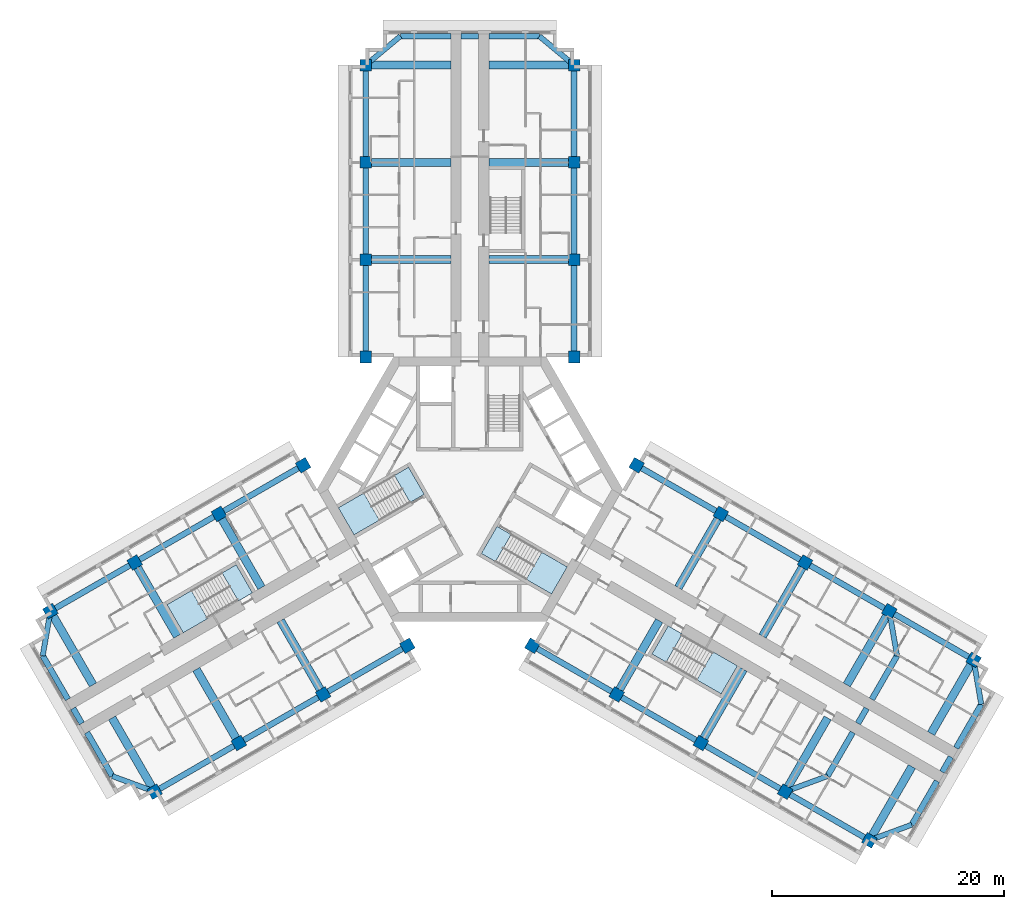
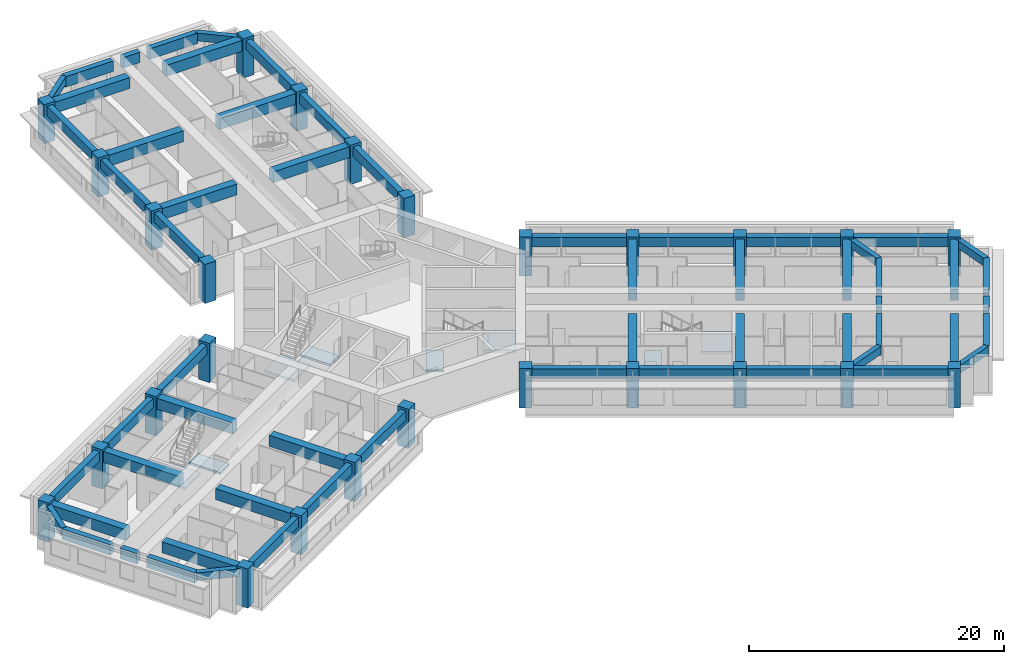
# One storey, part 1 of 14: 60 beams, 26 columns, 8 slabs, 4 elements without a shape of their own.
"""IFC4 building model written with IfcOpenShell, lengths in metres."""

from ifc_helpers import new_model, si_unit, direction, frame, origin, origin_2d, place, context, subcontext, project, spatial, polyline, rectangle, outline, extrude, material, layer, layer_set, material_profile, profile_set, type_object, element, aggregate, save


model = new_model("IFC4")

# Units and contexts
model_context = context("Model", 3, precision=1e-05, world=origin(), true_north=direction((0.0, 1.0)))
body_context = subcontext(model_context, "Body", "Model", "MODEL_VIEW")
ifc_project = project(units=[si_unit("LENGTHUNIT", "METRE"), si_unit("AREAUNIT", "SQUARE_METRE"), si_unit("VOLUMEUNIT", "CUBIC_METRE"), si_unit("PLANEANGLEUNIT", "RADIAN"), si_unit("MASSUNIT", "GRAM", prefix="KILO")], contexts=[model_context])

# Site, building, storey
site_placement = place(None, origin())
site = spatial("IfcSite", under=ifc_project, at=site_placement, CompositionType="ELEMENT")
building_placement = place(site_placement, origin())
building = spatial("IfcBuilding", under=site, at=building_placement, Name="Impinga Residences", CompositionType="ELEMENT")
storey_placement = place(building_placement, frame((0.0, 0.0, 154.75)))
storey = spatial("IfcBuildingStorey", under=building, at=storey_placement, Name="L38", CompositionType="ELEMENT", Elevation=154.75)

# Columns
ifc_material_1 = material(Name="Concrete C60/75", Category="concrete")
ifc_material_profile_1 = material_profile(ifc_material_1, rectangle(XDim=1.0, YDim=1.0, at=origin_2d()), Name="RC 1000x1000")
ifc_profile_set_1 = profile_set([ifc_material_profile_1], Name="Concrete C60/75")
column_type = type_object("IfcColumnType", Name="C3 1000x1000 column", PredefinedType="COLUMN", material=ifc_profile_set_1)
for number, where, z_axis, x_axis, name in (
    (1, (-9.0, 11.431640625, 0.0), (0.0, 0.0, 1.0), (1.0, 0.0, 0.0), "Column C3 N1/NA L38"),
    (2, (9.0, 11.431640625, 0.0), (0.0, 0.0, 1.0), (1.0, 0.0, 0.0), "Column C3 N1/NF L38"),
    (3, (-9.0, 19.83154296875, 0.0), (0.0, 0.0, 1.0), (1.0, 0.0, 0.0), "Column C3 N2/NA L38"),
    (4, (9.0, 19.83154296875, 0.0), (0.0, 0.0, 1.0), (1.0, 0.0, 0.0), "Column C3 N2/NF L38"),
    (5, (-9.0, 28.2314453125, 0.0), (0.0, 0.0, 1.0), (1.0, 0.0, 0.0), "Column C3 N3/NA L38"),
    (6, (9.0, 28.2314453125, 0.0), (0.0, 0.0, 1.0), (1.0, 0.0, 0.0), "Column C3 N3/NF L38"),
    (7, (-9.0, 36.631591796875, 0.0), (0.0, 0.0, 1.0), (1.0, 0.0, 0.0), "Column C3 N4/NA L38"),
    (8, (9.0, 36.631591796875, 0.0), (0.0, 0.0, 1.0), (1.0, 0.0, 0.0), "Column C3 N4/NF L38"),
    (9, (-5.39990234375, -13.510009765625, 0.0), (0.0, 0.0, 1.0), (-0.5, 0.866025403784, 0.0), "Column C3 W1/WA L38"),
    (10, (-14.39990234375, 2.078369140625, 0.0), (0.0, 0.0, 1.0), (-0.5, 0.866025403784, 0.0), "Column C3 W1/WF L38"),
    (11, (-12.674560546875, -17.7099609375, 0.0), (0.0, 0.0, 1.0), (-0.5, 0.866025403784, 0.0), "Column C3 W2/WA L38"),
    (12, (-21.674560546875, -2.12158203125, 0.0), (0.0, 0.0, 1.0), (-0.5, 0.866025403784, 0.0), "Column C3 W2/WF L38"),
    (13, (-19.94921875, -21.909912109375, 0.0), (0.0, 0.0, 1.0), (-0.5, 0.866025403784, 0.0), "Column C3 W3/WA L38"),
    (14, (-28.94921875, -6.321533203125, 0.0), (0.0, 0.0, 1.0), (-0.5, 0.866025403784, 0.0), "Column C3 W3/WF L38"),
    (15, (-27.223876953125, -26.110107421875, 0.0), (0.0, 0.0, 1.0), (-0.5, 0.866025403784, 0.0), "Column C3 W4/WA L38"),
    (16, (-36.223876953125, -10.521484375, 0.0), (0.0, 0.0, 1.0), (-0.5, 0.866025403784, 0.0), "Column C3 W4/WF L38"),
    (17, (14.39990234375, 2.078369140625, 0.0), (0.0, 0.0, 1.0), (-0.5, -0.866025403784, 0.0), "Column C3 E1/EA L38"),
    (18, (5.39990234375, -13.510009765625, 0.0), (0.0, 0.0, 1.0), (-0.5, -0.866025403784, 0.0), "Column C3 E1/EF L38"),
    (19, (21.674560546875, -2.12158203125, 0.0), (0.0, 0.0, 1.0), (-0.5, -0.866025403784, 0.0), "Column C3 E2/EA L38"),
    (20, (12.674560546875, -17.7099609375, 0.0), (0.0, 0.0, 1.0), (-0.5, -0.866025403784, 0.0), "Column C3 E2/EF L38"),
    (21, (28.94921875, -6.321533203125, 0.0), (0.0, 0.0, 1.0), (-0.5, -0.866025403784, 0.0), "Column C3 E3/EA L38"),
    (22, (19.94921875, -21.909912109375, 0.0), (0.0, 0.0, 1.0), (-0.5, -0.866025403784, 0.0), "Column C3 E3/EF L38"),
    (23, (36.223876953125, -10.521484375, 0.0), (0.0, 0.0, 1.0), (-0.5, -0.866025403784, 0.0), "Column C3 E4/EA L38"),
    (24, (27.223876953125, -26.110107421875, 0.0), (0.0, 0.0, 1.0), (-0.5, -0.866025403784, 0.0), "Column C3 E4/EF L38"),
    (25, (43.49853515625, -14.721435546875, 0.0), (0.0, 0.0, 1.0), (-0.5, -0.866025403784, 0.0), "Column C3 E5/EA L38"),
    (26, (34.49853515625, -30.31005859375, 0.0), (0.0, 0.0, 1.0), (-0.5, -0.866025403784, 0.0), "Column C3 E5/EF L38"),
):
    element("IfcColumn", number, at=place(storey_placement, frame(where, z_axis=z_axis, x_axis=x_axis)), inside=storey, type_object=column_type, Name=name, PredefinedType="COLUMN", context=body_context, shape_type="SweptSolid", body=[
        extrude(rectangle(XDim=1.0, YDim=1.0, at=origin_2d()), origin(), (0.0, 0.0, 1.0), 3.75),
    ])

# Beams
ifc_material_profile_2 = material_profile(ifc_material_1, rectangle(XDim=0.449951171875, YDim=0.75, at=origin_2d()), Name="RC 450x750")
ifc_profile_set_2 = profile_set([ifc_material_profile_2], Name="Concrete C60/75")
beam_type_1 = type_object("IfcBeamType", Name="CB1 450x750 wing end cantilever beam", PredefinedType="BEAM", material=ifc_profile_set_2)
for number, where, z_axis, x_axis, name in (
    (27, (-9.0, 36.631591796875, 3.155029296875), (0.768221279597, 0.640184399664, 0.0), (-0.640184399664, 0.768221279597, 0.0), "Beam CB1 NB N4-NX level L39"),
    (28, (9.0, 36.631591796875, 3.155029296875), (-0.768221279597, 0.640184399664, 0.0), (-0.640184399664, -0.768221279597, 0.0), "Beam CB1 NE N4-NX level L39"),
    (29, (-27.223876953125, -26.110107421875, 3.155029296875), (-0.938520178725, 0.345224382289, 0.0), (-0.345224382289, -0.938520178725, 0.0), "Beam CB1 WB W4-WX level L39"),
):
    element("IfcBeam", number, at=place(storey_placement, frame(where, z_axis=z_axis, x_axis=x_axis)), inside=storey, type_object=beam_type_1, Name=name, PredefinedType="BEAM", context=body_context, shape_type="SweptSolid", body=[
        extrude(rectangle(XDim=0.449951171875, YDim=0.75, at=origin_2d()), origin(), (0.0, 0.0, 1.0), 3.905029296875),
    ])
for number, where, z_axis, x_axis, name in (
    (30, (-36.223876953125, -10.521484375, 3.155029296875), (-0.170296298948, -0.985392901621, 0.0), (0.985392901621, -0.170296298948, 0.0), "Beam CB1 WE W4-WX level L39"),
    (31, (36.223876953125, -10.521484375, 3.155029296875), (0.170296298948, -0.985392901621, 0.0), (0.985392901621, 0.170296298948, 0.0), "Beam CB1 EB E4-EX level L39"),
):
    element("IfcBeam", number, at=place(storey_placement, frame(where, z_axis=z_axis, x_axis=x_axis)), inside=storey, type_object=beam_type_1, Name=name, PredefinedType="BEAM", context=body_context, shape_type="SweptSolid", body=[
        extrude(rectangle(XDim=0.449951171875, YDim=0.75, at=origin_2d()), origin(), (0.0, 0.0, 1.0), 3.9052734375),
    ])
beam_1_placement = place(storey_placement, frame((27.223876953125, -26.110107421875, 3.155029296875), z_axis=(0.938520178725, 0.345224382289, 0.0), x_axis=(-0.345224382289, 0.938520178725, 0.0)))
element("IfcBeam", 32, at=beam_1_placement, inside=storey, type_object=beam_type_1, Name="Beam CB1 EE E4-EX level L39", PredefinedType="BEAM", context=body_context, shape_type="SweptSolid", body=[
    extrude(rectangle(XDim=0.449951171875, YDim=0.75, at=origin_2d()), origin(), (0.0, 0.0, 1.0), 3.905029296875),
])
beam_2_placement = place(storey_placement, frame((43.49853515625, -14.721435546875, 3.155029296875), z_axis=(0.170296298948, -0.985392901621, 0.0), x_axis=(0.985392901621, 0.170296298948, 0.0)))
element("IfcBeam", 33, at=beam_2_placement, inside=storey, type_object=beam_type_1, Name="Beam CB1 EB E5-EX level L39", PredefinedType="BEAM", context=body_context, shape_type="SweptSolid", body=[
    extrude(rectangle(XDim=0.449951171875, YDim=0.75, at=origin_2d()), origin(), (0.0, 0.0, 1.0), 3.9052734375),
])
beam_3_placement = place(storey_placement, frame((34.49853515625, -30.31005859375, 3.155029296875), z_axis=(0.938520178725, 0.345224382289, 0.0), x_axis=(-0.345224382289, 0.938520178725, 0.0)))
element("IfcBeam", 34, at=beam_3_placement, inside=storey, type_object=beam_type_1, Name="Beam CB1 EE E5-EX level L39", PredefinedType="BEAM", context=body_context, shape_type="SweptSolid", body=[
    extrude(rectangle(XDim=0.449951171875, YDim=0.75, at=origin_2d()), origin(), (0.0, 0.0, 1.0), 3.905029296875),
])
ifc_material_profile_3 = material_profile(ifc_material_1, rectangle(XDim=0.699951171875, YDim=1.050048828125, at=origin_2d()), Name="RC 700x1050")
ifc_profile_set_3 = profile_set([ifc_material_profile_3], Name="Concrete C60/75")
beam_type_2 = type_object("IfcBeamType", Name="CG1 700x1050 cross girder on a wing bay line", PredefinedType="BEAM", material=ifc_profile_set_3)
for number, where, z_axis, x_axis, name in (
    (35, (-1.64990234375, 19.83154296875, 3.0048828125), (-1.0, 0.0, 0.0), (0.0, -1.0, 0.0), "Beam CG1 N2 NC/NA level L39"),
    (36, (-1.64990234375, 28.2314453125, 3.0048828125), (-1.0, 0.0, 0.0), (0.0, -1.0, 0.0), "Beam CG1 N3 NC/NA level L39"),
    (37, (-1.64990234375, 36.631591796875, 3.0048828125), (-1.0, 0.0, 0.0), (0.0, -1.0, 0.0), "Beam CG1 N4 NC/NA level L39"),
    (38, (1.64990234375, 19.83154296875, 3.0048828125), (1.0, 0.0, 0.0), (0.0, 1.0, 0.0), "Beam CG1 N2 NC/NF level L39"),
    (39, (1.64990234375, 28.2314453125, 3.0048828125), (1.0, 0.0, 0.0), (0.0, 1.0, 0.0), "Beam CG1 N3 NC/NF level L39"),
    (40, (1.64990234375, 36.631591796875, 3.0048828125), (1.0, 0.0, 0.0), (0.0, 1.0, 0.0), "Beam CG1 N4 NC/NF level L39"),
    (41, (-16.349609375, -11.3447265625, 3.0048828125), (0.500008066151, -0.86602074674, 0.0), (0.86602074674, 0.500008066151, 0.0), "Beam CG1 W2 WC/WA level L39"),
    (42, (-23.624267578125, -15.544677734375, 3.0048828125), (0.500008066151, -0.86602074674, 0.0), (0.86602074674, 0.500008066151, 0.0), "Beam CG1 W3 WC/WA level L39"),
    (43, (-30.89892578125, -19.74462890625, 3.0048828125), (0.499993683172, -0.866029050776, 0.0), (0.866029050776, 0.499993683172, 0.0), "Beam CG1 W4 WC/WA level L39"),
    (44, (-17.99951171875, -8.48681640625, 3.0048828125), (-0.500008066151, 0.86602074674, 0.0), (-0.86602074674, -0.500008066151, 0.0), "Beam CG1 W2 WC/WF level L39"),
    (45, (-25.274169921875, -12.686767578125, 3.0048828125), (-0.500008066151, 0.86602074674, 0.0), (-0.86602074674, -0.500008066151, 0.0), "Beam CG1 W3 WC/WF level L39"),
    (46, (-32.548828125, -16.88671875, 3.0048828125), (-0.500008066151, 0.86602074674, 0.0), (-0.86602074674, -0.500008066151, 0.0), "Beam CG1 W4 WC/WF level L39"),
    (47, (17.99951171875, -8.48681640625, 3.0048828125), (0.500008066151, 0.86602074674, 0.0), (-0.86602074674, 0.500008066151, 0.0), "Beam CG1 E2 EC/EA level L39"),
    (48, (25.274169921875, -12.686767578125, 3.0048828125), (0.500008066151, 0.86602074674, 0.0), (-0.86602074674, 0.500008066151, 0.0), "Beam CG1 E3 EC/EA level L39"),
    (49, (32.548828125, -16.88671875, 3.0048828125), (0.500008066151, 0.86602074674, 0.0), (-0.86602074674, 0.500008066151, 0.0), "Beam CG1 E4 EC/EA level L39"),
    (50, (39.823486328125, -21.0869140625, 3.0048828125), (0.499993683172, 0.866029050776, 0.0), (-0.866029050776, 0.499993683172, 0.0), "Beam CG1 E5 EC/EA level L39"),
    (51, (16.349609375, -11.3447265625, 3.0048828125), (-0.500008066151, -0.86602074674, 0.0), (0.86602074674, -0.500008066151, 0.0), "Beam CG1 E2 EC/EF level L39"),
    (52, (23.624267578125, -15.544677734375, 3.0048828125), (-0.500008066151, -0.86602074674, 0.0), (0.86602074674, -0.500008066151, 0.0), "Beam CG1 E3 EC/EF level L39"),
    (53, (30.89892578125, -19.74462890625, 3.0048828125), (-0.499993683172, -0.866029050776, 0.0), (0.866029050776, -0.499993683172, 0.0), "Beam CG1 E4 EC/EF level L39"),
):
    element("IfcBeam", number, at=place(storey_placement, frame(where, z_axis=z_axis, x_axis=x_axis)), inside=storey, type_object=beam_type_2, Name=name, PredefinedType="BEAM", context=body_context, shape_type="SweptSolid", body=[
        extrude(rectangle(XDim=0.699951171875, YDim=1.050048828125, at=origin_2d()), origin(), (0.0, 0.0, 1.0), 7.35009765625),
    ])
beam_4_placement = place(storey_placement, frame((38.17333984375, -23.94482421875, 3.0048828125), z_axis=(-0.499983153418, -0.866035129944, 0.0), x_axis=(0.866035129944, -0.499983153418, 0.0)))
element("IfcBeam", 54, at=beam_4_placement, inside=storey, type_object=beam_type_2, Name="Beam CG1 E5 EC/EF level L39", PredefinedType="BEAM", context=body_context, shape_type="SweptSolid", body=[
    extrude(rectangle(XDim=0.699951171875, YDim=1.050048828125, at=origin_2d()), origin(), (0.0, 0.0, 1.0), 7.349853515625),
])
ifc_material_profile_4 = material_profile(ifc_material_1, rectangle(XDim=0.5, YDim=1.0, at=origin_2d()), Name="RC 500x1000")
ifc_profile_set_4 = profile_set([ifc_material_profile_4], Name="Concrete C60/75")
beam_type_3 = type_object("IfcBeamType", Name="EB1 500x1000 wing end beam", PredefinedType="BEAM", material=ifc_profile_set_4)
beam_5_placement = place(storey_placement, frame((-6.0, 39.131591796875, 3.030029296875), z_axis=(1.0, 0.0, 0.0), x_axis=(0.0, 1.0, 0.0)))
element("IfcBeam", 55, at=beam_5_placement, inside=storey, type_object=beam_type_3, Name="Beam EB1 NX3 level L39", PredefinedType="BEAM", context=body_context, shape_type="SweptSolid", body=[
    extrude(rectangle(XDim=0.5, YDim=1.0, at=origin_2d()), origin(), (0.0, 0.0, 1.0), 4.35009765625),
])
beam_6_placement = place(storey_placement, frame((-0.75, 39.131591796875, 3.030029296875), z_axis=(1.0, 0.0, 0.0), x_axis=(0.0, 1.0, 0.0)))
element("IfcBeam", 56, at=beam_6_placement, inside=storey, type_object=beam_type_3, Name="Beam EB1 NX3 level L39", PredefinedType="BEAM", context=body_context, shape_type="SweptSolid", body=[
    extrude(rectangle(XDim=0.5, YDim=1.0, at=origin_2d()), origin(), (0.0, 0.0, 1.0), 1.5),
])
for number, where, z_axis, x_axis, name in (
    (57, (1.64990234375, 39.131591796875, 3.030029296875), (1.0, 0.0, 0.0), (0.0, 1.0, 0.0), "Beam EB1 NX3 level L39"),
    (58, (-30.888916015625, -24.761962890625, 3.030029296875), (-0.499996127374, 0.866027639635, 0.0), (-0.866027639635, -0.499996127374, 0.0), "Beam EB1 WX3 level L39"),
):
    element("IfcBeam", number, at=place(storey_placement, frame(where, z_axis=z_axis, x_axis=x_axis)), inside=storey, type_object=beam_type_3, Name=name, PredefinedType="BEAM", context=body_context, shape_type="SweptSolid", body=[
        extrude(rectangle(XDim=0.5, YDim=1.0, at=origin_2d()), origin(), (0.0, 0.0, 1.0), 4.35009765625),
    ])
beam_7_placement = place(storey_placement, frame((-33.513916015625, -20.21533203125, 3.030029296875), z_axis=(-0.499990139034, 0.866031096941, 0.0), x_axis=(-0.866031096941, -0.499990139034, 0.0)))
element("IfcBeam", 59, at=beam_7_placement, inside=storey, type_object=beam_type_3, Name="Beam EB1 WX3 level L39", PredefinedType="BEAM", context=body_context, shape_type="SweptSolid", body=[
    extrude(rectangle(XDim=0.5, YDim=1.0, at=origin_2d()), origin(), (0.0, 0.0, 1.0), 1.5),
])
for number, where, z_axis, x_axis, name in (
    (60, (-34.7138671875, -18.13671875, 3.030029296875), (-0.500020430026, 0.866013608182, 0.0), (-0.866013608182, -0.500020430026, 0.0), "Beam EB1 WX3 level L39"),
    (61, (36.888916015625, -14.36962890625, 3.030029296875), (-0.500020430026, -0.866013608182, 0.0), (0.866013608182, -0.500020430026, 0.0), "Beam EB1 EX3 level L39"),
):
    element("IfcBeam", number, at=place(storey_placement, frame(where, z_axis=z_axis, x_axis=x_axis)), inside=storey, type_object=beam_type_3, Name=name, PredefinedType="BEAM", context=body_context, shape_type="SweptSolid", body=[
        extrude(rectangle(XDim=0.5, YDim=1.0, at=origin_2d()), origin(), (0.0, 0.0, 1.0), 4.349853515625),
    ])
beam_8_placement = place(storey_placement, frame((34.263916015625, -18.916259765625, 3.030029296875), z_axis=(-0.499990139034, -0.866031096941, 0.0), x_axis=(0.866031096941, -0.499990139034, 0.0)))
element("IfcBeam", 62, at=beam_8_placement, inside=storey, type_object=beam_type_3, Name="Beam EB1 EX3 level L39", PredefinedType="BEAM", context=body_context, shape_type="SweptSolid", body=[
    extrude(rectangle(XDim=0.5, YDim=1.0, at=origin_2d()), origin(), (0.0, 0.0, 1.0), 1.5),
])
for number, where, z_axis, x_axis, name in (
    (63, (33.06396484375, -20.99462890625, 3.030029296875), (-0.499996127374, -0.866027639635, 0.0), (0.866027639635, -0.499996127374, 0.0), "Beam EB1 EX3 level L39"),
    (64, (44.16357421875, -18.569580078125, 3.030029296875), (-0.499996127374, -0.866027639635, 0.0), (0.866027639635, -0.499996127374, 0.0), "Beam EB1 EX4 level L39"),
):
    element("IfcBeam", number, at=place(storey_placement, frame(where, z_axis=z_axis, x_axis=x_axis)), inside=storey, type_object=beam_type_3, Name=name, PredefinedType="BEAM", context=body_context, shape_type="SweptSolid", body=[
        extrude(rectangle(XDim=0.5, YDim=1.0, at=origin_2d()), origin(), (0.0, 0.0, 1.0), 4.35009765625),
    ])
beam_9_placement = place(storey_placement, frame((41.53857421875, -23.1162109375, 3.030029296875), z_axis=(-0.499990139034, -0.866031096941, 0.0), x_axis=(0.866031096941, -0.499990139034, 0.0)))
element("IfcBeam", 65, at=beam_9_placement, inside=storey, type_object=beam_type_3, Name="Beam EB1 EX4 level L39", PredefinedType="BEAM", context=body_context, shape_type="SweptSolid", body=[
    extrude(rectangle(XDim=0.5, YDim=1.0, at=origin_2d()), origin(), (0.0, 0.0, 1.0), 1.5),
])
beam_10_placement = place(storey_placement, frame((40.338623046875, -25.19482421875, 3.030029296875), z_axis=(-0.500020430026, -0.866013608182, 0.0), x_axis=(0.866013608182, -0.500020430026, 0.0)))
element("IfcBeam", 66, at=beam_10_placement, inside=storey, type_object=beam_type_3, Name="Beam EB1 EX4 level L39", PredefinedType="BEAM", context=body_context, shape_type="SweptSolid", body=[
    extrude(rectangle(XDim=0.5, YDim=1.0, at=origin_2d()), origin(), (0.0, 0.0, 1.0), 4.349853515625),
])
ifc_material_profile_5 = material_profile(ifc_material_1, rectangle(XDim=0.5, YDim=0.89990234375, at=origin_2d()), Name="RC 500x900")
ifc_profile_set_5 = profile_set([ifc_material_profile_5], Name="Concrete C60/75")
beam_type_4 = type_object("IfcBeamType", Name="SB1 500x900 perimeter spandrel beam", PredefinedType="SPANDREL", material=ifc_profile_set_5)
for number, where, z_axis, x_axis, name in (
    (67, (-9.0, 11.431640625, 3.080078125), (0.0, 1.0, 0.0), (-1.0, 0.0, 0.0), "Beam SB1 NA N1-N2 level L39"),
    (68, (-9.0, 19.83154296875, 3.080078125), (0.0, 1.0, 0.0), (-1.0, 0.0, 0.0), "Beam SB1 NA N2-N3 level L39"),
):
    element("IfcBeam", number, at=place(storey_placement, frame(where, z_axis=z_axis, x_axis=x_axis)), inside=storey, type_object=beam_type_4, Name=name, PredefinedType="SPANDREL", context=body_context, shape_type="SweptSolid", body=[
        extrude(rectangle(XDim=0.5, YDim=0.89990234375, at=origin_2d()), origin(), (0.0, 0.0, 1.0), 8.39990234375),
    ])
beam_11_placement = place(storey_placement, frame((-9.0, 28.2314453125, 3.080078125), z_axis=(0.0, 1.0, 0.0), x_axis=(-1.0, 0.0, 0.0)))
element("IfcBeam", 69, at=beam_11_placement, inside=storey, type_object=beam_type_4, Name="Beam SB1 NA N3-N4 level L39", PredefinedType="SPANDREL", context=body_context, shape_type="SweptSolid", body=[
    extrude(rectangle(XDim=0.5, YDim=0.89990234375, at=origin_2d()), origin(), (0.0, 0.0, 1.0), 8.400146484375),
])
for number, where, z_axis, x_axis, name in (
    (70, (9.0, 11.431640625, 3.080078125), (0.0, 1.0, 0.0), (-1.0, 0.0, 0.0), "Beam SB1 NF N1-N2 level L39"),
    (71, (9.0, 19.83154296875, 3.080078125), (0.0, 1.0, 0.0), (-1.0, 0.0, 0.0), "Beam SB1 NF N2-N3 level L39"),
):
    element("IfcBeam", number, at=place(storey_placement, frame(where, z_axis=z_axis, x_axis=x_axis)), inside=storey, type_object=beam_type_4, Name=name, PredefinedType="SPANDREL", context=body_context, shape_type="SweptSolid", body=[
        extrude(rectangle(XDim=0.5, YDim=0.89990234375, at=origin_2d()), origin(), (0.0, 0.0, 1.0), 8.39990234375),
    ])
beam_12_placement = place(storey_placement, frame((9.0, 28.2314453125, 3.080078125), z_axis=(0.0, 1.0, 0.0), x_axis=(-1.0, 0.0, 0.0)))
element("IfcBeam", 72, at=beam_12_placement, inside=storey, type_object=beam_type_4, Name="Beam SB1 NF N3-N4 level L39", PredefinedType="SPANDREL", context=body_context, shape_type="SweptSolid", body=[
    extrude(rectangle(XDim=0.5, YDim=0.89990234375, at=origin_2d()), origin(), (0.0, 0.0, 1.0), 8.400146484375),
])
for number, where, z_axis, x_axis, name in (
    (73, (-5.39990234375, -13.510009765625, 3.080078125), (-0.86602925447, -0.499993330357, 0.0), (0.499993330357, -0.86602925447, 0.0), "Beam SB1 WA W1-W2 level L39"),
    (74, (-12.674560546875, -17.7099609375, 3.080078125), (-0.86602925447, -0.499993330357, 0.0), (0.499993330357, -0.86602925447, 0.0), "Beam SB1 WA W2-W3 level L39"),
):
    element("IfcBeam", number, at=place(storey_placement, frame(where, z_axis=z_axis, x_axis=x_axis)), inside=storey, type_object=beam_type_4, Name=name, PredefinedType="SPANDREL", context=body_context, shape_type="SweptSolid", body=[
        extrude(rectangle(XDim=0.5, YDim=0.89990234375, at=origin_2d()), origin(), (0.0, 0.0, 1.0), 8.39990234375),
    ])
beam_13_placement = place(storey_placement, frame((-19.94921875, -21.909912109375, 3.080078125), z_axis=(-0.866016669275, -0.500015128309, 0.0), x_axis=(0.500015128309, -0.866016669275, 0.0)))
element("IfcBeam", 75, at=beam_13_placement, inside=storey, type_object=beam_type_4, Name="Beam SB1 WA W3-W4 level L39", PredefinedType="SPANDREL", context=body_context, shape_type="SweptSolid", body=[
    extrude(rectangle(XDim=0.5, YDim=0.89990234375, at=origin_2d()), origin(), (0.0, 0.0, 1.0), 8.400146484375),
])
for number, where, z_axis, x_axis, name in (
    (76, (-14.39990234375, 2.078369140625, 3.080078125), (-0.86602925447, -0.499993330357, 0.0), (0.499993330357, -0.86602925447, 0.0), "Beam SB1 WF W1-W2 level L39"),
    (77, (-21.674560546875, -2.12158203125, 3.080078125), (-0.86602925447, -0.499993330357, 0.0), (0.499993330357, -0.86602925447, 0.0), "Beam SB1 WF W2-W3 level L39"),
    (78, (-28.94921875, -6.321533203125, 3.080078125), (-0.86602925447, -0.499993330357, 0.0), (0.499993330357, -0.86602925447, 0.0), "Beam SB1 WF W3-W4 level L39"),
    (79, (14.39990234375, 2.078369140625, 3.080078125), (0.86602925447, -0.499993330357, 0.0), (0.499993330357, 0.86602925447, 0.0), "Beam SB1 EA E1-E2 level L39"),
    (80, (21.674560546875, -2.12158203125, 3.080078125), (0.86602925447, -0.499993330357, 0.0), (0.499993330357, 0.86602925447, 0.0), "Beam SB1 EA E2-E3 level L39"),
    (81, (28.94921875, -6.321533203125, 3.080078125), (0.86602925447, -0.499993330357, 0.0), (0.499993330357, 0.86602925447, 0.0), "Beam SB1 EA E3-E4 level L39"),
    (82, (36.223876953125, -10.521484375, 3.080078125), (0.86602925447, -0.499993330357, 0.0), (0.499993330357, 0.86602925447, 0.0), "Beam SB1 EA E4-E5 level L39"),
    (83, (5.39990234375, -13.510009765625, 3.080078125), (0.86602925447, -0.499993330357, 0.0), (0.499993330357, 0.86602925447, 0.0), "Beam SB1 EF E1-E2 level L39"),
    (84, (12.674560546875, -17.7099609375, 3.080078125), (0.86602925447, -0.499993330357, 0.0), (0.499993330357, 0.86602925447, 0.0), "Beam SB1 EF E2-E3 level L39"),
):
    element("IfcBeam", number, at=place(storey_placement, frame(where, z_axis=z_axis, x_axis=x_axis)), inside=storey, type_object=beam_type_4, Name=name, PredefinedType="SPANDREL", context=body_context, shape_type="SweptSolid", body=[
        extrude(rectangle(XDim=0.5, YDim=0.89990234375, at=origin_2d()), origin(), (0.0, 0.0, 1.0), 8.39990234375),
    ])
beam_14_placement = place(storey_placement, frame((19.94921875, -21.909912109375, 3.080078125), z_axis=(0.866016669275, -0.500015128309, 0.0), x_axis=(0.500015128309, 0.866016669275, 0.0)))
element("IfcBeam", 85, at=beam_14_placement, inside=storey, type_object=beam_type_4, Name="Beam SB1 EF E3-E4 level L39", PredefinedType="SPANDREL", context=body_context, shape_type="SweptSolid", body=[
    extrude(rectangle(XDim=0.5, YDim=0.89990234375, at=origin_2d()), origin(), (0.0, 0.0, 1.0), 8.400146484375),
])
beam_15_placement = place(storey_placement, frame((27.223876953125, -26.110107421875, 3.080078125), z_axis=(0.86602925447, -0.499993330357, 0.0), x_axis=(0.499993330357, 0.86602925447, 0.0)))
element("IfcBeam", 86, at=beam_15_placement, inside=storey, type_object=beam_type_4, Name="Beam SB1 EF E4-E5 level L39", PredefinedType="SPANDREL", context=body_context, shape_type="SweptSolid", body=[
    extrude(rectangle(XDim=0.5, YDim=0.89990234375, at=origin_2d()), origin(), (0.0, 0.0, 1.0), 8.39990234375),
])

# Stair, slabs
ifc_material_2 = material(Name="Concrete C40/50", Category="concrete")
stair_type_1 = type_object("IfcStairType", Name="STR core stair 3750 storey, 24 risers", PredefinedType="HALF_TURN_STAIR", material=ifc_material_2)
stair_1_placement = place(storey_placement, origin())
stair_1 = element("IfcStair", 87, at=stair_1_placement, inside=storey, type_object=stair_type_1, Name="Stair ST2 L38", PredefinedType="HALF_TURN_STAIR")
ifc_layer = layer(ifc_material_2, 0.199951171875)
ifc_layer_set = layer_set([ifc_layer], Name="Concrete C40/50")
slab_type = type_object("IfcSlabType", Name="LS1 stair landing 200", PredefinedType="LANDING", material=ifc_layer_set)
slab_1_placement = place(storey_placement, frame((0.0, 0.0, -0.199951171875)))
slab_1 = element("IfcSlab", 88, at=slab_1_placement, type_object=slab_type, Name="ST2 landing 1", PredefinedType="LANDING", context=body_context, shape_type="SweptSolid", body=[
    extrude(outline(polyline([(-3.943603515625, -0.429443359375), (-5.293701171875, 1.908935546875), (-6.5146484375, 1.203857421875), (-5.164794921875, -1.13427734375), (-3.943603515625, -0.429443359375)])), origin(), (0.0, 0.0, 1.0), 0.199951171875),
])
slab_2_placement = place(storey_placement, frame((0.0, 0.0, 1.675048828125)))
slab_2 = element("IfcSlab", 89, at=slab_2_placement, type_object=slab_type, Name="ST2 landing 2", PredefinedType="LANDING", context=body_context, shape_type="SweptSolid", body=[
    extrude(outline(polyline([(-7.814697265625, -2.664306640625), (-9.164794921875, -0.326171875), (-11.357177734375, -1.591796875), (-10.007080078125, -3.93017578125), (-7.814697265625, -2.664306640625)])), origin(), (0.0, 0.0, 1.0), 0.199951171875),
])
aggregate(stair_1, [slab_1, slab_2])

stair_2_placement = place(storey_placement, origin())
stair_2 = element("IfcStair", 90, at=stair_2_placement, inside=storey, type_object=stair_type_1, Name="Stair ST3 L38", PredefinedType="HALF_TURN_STAIR")
slab_3_placement = place(storey_placement, frame((0.0, 0.0, -0.199951171875)))
slab_3 = element("IfcSlab", 91, at=slab_3_placement, type_object=slab_type, Name="ST3 landing 1", PredefinedType="LANDING", context=body_context, shape_type="SweptSolid", body=[
    extrude(outline(polyline([(2.34375, -3.20068359375), (0.99365234375, -5.538818359375), (2.21484375, -6.243896484375), (3.564697265625, -3.90576171875), (2.34375, -3.20068359375)])), origin(), (0.0, 0.0, 1.0), 0.199951171875),
])
slab_4_placement = place(storey_placement, frame((0.0, 0.0, 1.675048828125)))
slab_4 = element("IfcSlab", 92, at=slab_4_placement, type_object=slab_type, Name="ST3 landing 2", PredefinedType="LANDING", context=body_context, shape_type="SweptSolid", body=[
    extrude(outline(polyline([(6.21484375, -5.435546875), (4.86474609375, -7.77392578125), (7.05712890625, -9.039794921875), (8.4072265625, -6.701416015625), (6.21484375, -5.435546875)])), origin(), (0.0, 0.0, 1.0), 0.199951171875),
])
aggregate(stair_2, [slab_3, slab_4])

stair_type_2 = type_object("IfcStairType", Name="STR wing stair 3750 storey, 24 risers", PredefinedType="HALF_TURN_STAIR", material=ifc_material_2)
stair_3_placement = place(storey_placement, origin())
stair_3 = element("IfcStair", 93, at=stair_3_placement, inside=storey, type_object=stair_type_2, Name="Stair WS2 L38", PredefinedType="HALF_TURN_STAIR")
slab_5_placement = place(storey_placement, frame((0.0, 0.0, -0.199951171875)))
slab_5 = element("IfcSlab", 94, at=slab_5_placement, type_object=slab_type, Name="WS2 landing 1", PredefinedType="LANDING", context=body_context, shape_type="SweptSolid", body=[
    extrude(outline(polyline([(-18.779052734375, -8.936767578125), (-20.178955078125, -6.511962890625), (-21.400146484375, -7.217041015625), (-20.000244140625, -9.641845703125), (-18.779052734375, -8.936767578125)])), origin(), (0.0, 0.0, 1.0), 0.199951171875),
])
slab_6_placement = place(storey_placement, frame((0.0, 0.0, 1.675048828125)))
slab_6 = element("IfcSlab", 95, at=slab_6_placement, type_object=slab_type, Name="WS2 landing 2", PredefinedType="LANDING", context=body_context, shape_type="SweptSolid", body=[
    extrude(outline(polyline([(-22.650146484375, -11.171875), (-24.050048828125, -8.7470703125), (-26.154541015625, -9.9619140625), (-24.754638671875, -12.38671875), (-22.650146484375, -11.171875)])), origin(), (0.0, 0.0, 1.0), 0.199951171875),
])
aggregate(stair_3, [slab_5, slab_6])

stair_4_placement = place(storey_placement, origin())
stair_4 = element("IfcStair", 96, at=stair_4_placement, inside=storey, type_object=stair_type_2, Name="Stair WS3 L38", PredefinedType="HALF_TURN_STAIR")
slab_7_placement = place(storey_placement, frame((0.0, 0.0, -0.199951171875)))
slab_7 = element("IfcSlab", 97, at=slab_7_placement, type_object=slab_type, Name="WS3 landing 1", PredefinedType="LANDING", context=body_context, shape_type="SweptSolid", body=[
    extrude(outline(polyline([(17.129150390625, -11.794677734375), (15.72900390625, -14.219482421875), (16.9501953125, -14.924560546875), (18.35009765625, -12.499755859375), (17.129150390625, -11.794677734375)])), origin(), (0.0, 0.0, 1.0), 0.199951171875),
])
slab_8_placement = place(storey_placement, frame((0.0, 0.0, 1.675048828125)))
slab_8 = element("IfcSlab", 98, at=slab_8_placement, type_object=slab_type, Name="WS3 landing 2", PredefinedType="LANDING", context=body_context, shape_type="SweptSolid", body=[
    extrude(outline(polyline([(21.000244140625, -14.02978515625), (19.60009765625, -16.45458984375), (21.70458984375, -17.669677734375), (23.1044921875, -15.24462890625), (21.000244140625, -14.02978515625)])), origin(), (0.0, 0.0, 1.0), 0.199951171875),
])
aggregate(stair_4, [slab_7, slab_8])

save(model, "model.ifc")
